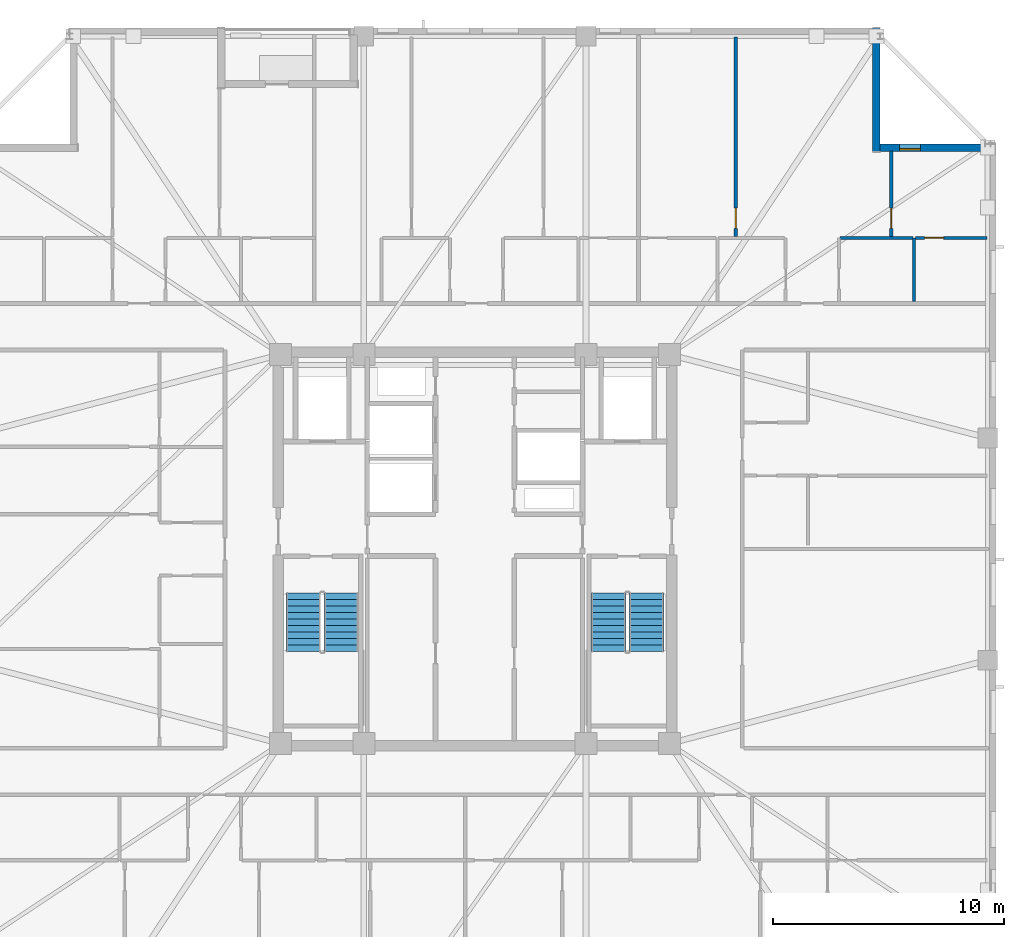
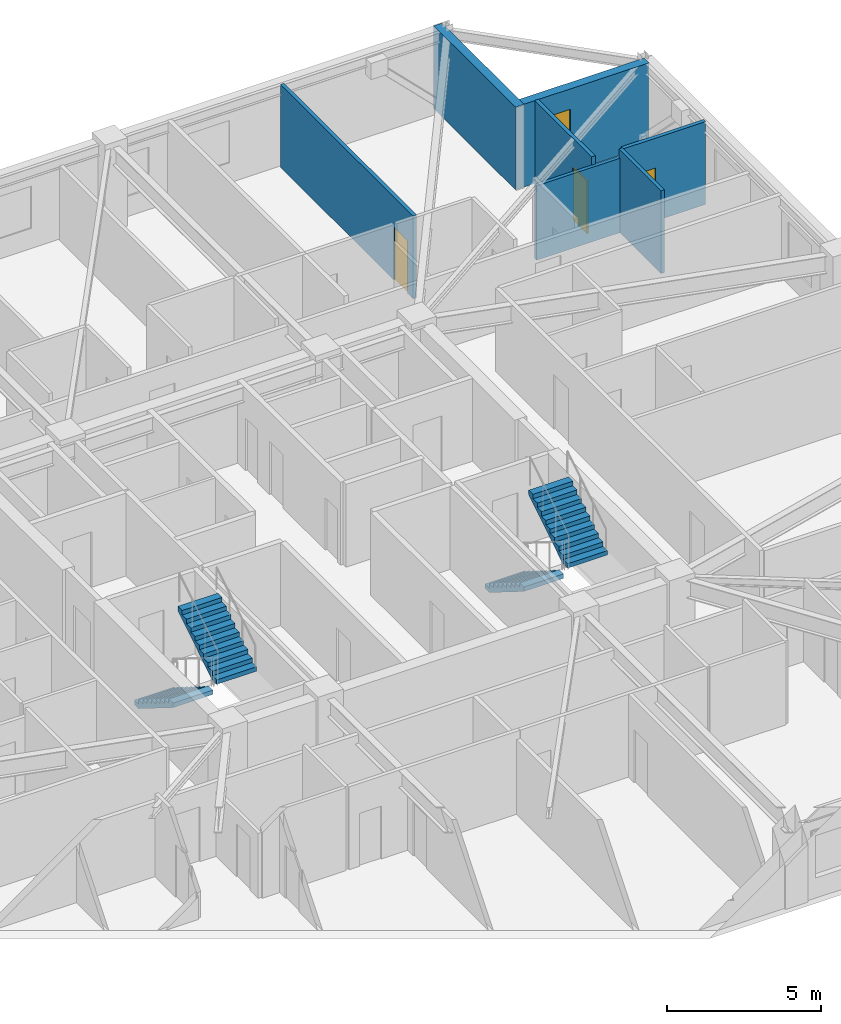
# One storey, part 12 of 17: 7 walls, 4 stair flights, 3 doors, 1 window, 4 openings, 2 elements without a shape of their own.
"""IFC4 building model written with IfcOpenShell, lengths in metres."""

from ifc_helpers import new_model, si_unit, direction, frame, frame_2d, origin, place, context, subcontext, project, spatial, polyline, rectangle, outline, extrude, material, layer, layer_set, type_object, element, fill, aggregate, save


model = new_model("IFC4")

# Units and contexts
model_context = context("Model", 3, precision=1e-05, world=origin(), true_north=direction((0.0, 1.0)))
body_context = subcontext(model_context, "Body", "Model", "MODEL_VIEW")
ifc_project = project(units=[si_unit("LENGTHUNIT", "METRE"), si_unit("AREAUNIT", "SQUARE_METRE"), si_unit("VOLUMEUNIT", "CUBIC_METRE"), si_unit("PLANEANGLEUNIT", "RADIAN"), si_unit("MASSUNIT", "GRAM", prefix="KILO")], contexts=[model_context])

# Site, building, storey
site_placement = place(None, origin())
site = spatial("IfcSite", under=ifc_project, at=site_placement, CompositionType="ELEMENT")
building_placement = place(site_placement, origin())
building = spatial("IfcBuilding", under=site, at=building_placement, Name="Cairnveth Concourse Tower", CompositionType="ELEMENT")
storey_placement = place(building_placement, frame((0.0, 0.0, 223.5)))
storey = spatial("IfcBuildingStorey", under=building, at=storey_placement, Name="L61", CompositionType="ELEMENT", Elevation=223.5)

# Wall, opening, door
ifc_material_1 = material(Name="Gypsum Plasterboard Partition", Category="gypsum")
ifc_layer_1 = layer(ifc_material_1, 0.139892578125)
ifc_layer_set_1 = layer_set([ifc_layer_1], Name="Gypsum Plasterboard Partition")
wall_type_1 = type_object("IfcWallType", Name="GYPSUM STUD PARTITION 140", PredefinedType="PARTITIONING", material=ifc_layer_set_1)
wall_1_placement = place(storey_placement, frame((63.267578125, 52.492431640625, 0.0), z_axis=(0.0, 0.0, 1.0), x_axis=(0.0, 1.0, 0.0)))
wall_1 = element("IfcWall", 1, at=wall_1_placement, inside=storey, type_object=wall_type_1, Name="Interior Wall IW-L61-092", PredefinedType="PARTITIONING", context=body_context, shape_type="SweptSolid", body=[
    extrude(rectangle(XDim=8.627685546875, YDim=0.139892578125, at=frame_2d((4.31396484375, 0.0))), origin(), (0.0, 0.0, 1.0), 3.2900390625),
])
opening_1_placement = place(wall_1_placement, frame((0.360107421875, 0.0, 0.0)))
opening_1 = element("IfcOpeningElement", 2, at=opening_1_placement, cuts=wall_1, Name="Opening ID18", PredefinedType="OPENING", context=body_context, shape_type="SweptSolid", body=[
    extrude(rectangle(XDim=0.8798828125, YDim=2.10009765625, at=frame_2d((0.43994140625, 1.050048828125))), frame((0.0, 0.079833984375, 0.0), z_axis=(0.0, -1.0, 0.0), x_axis=(1.0, 0.0, 0.0)), (0.0, 0.0, 1.0), 0.159912109375),
])
ifc_material_2 = material(Name="Solid Core Hardwood Timber Leaf", Category="wood")
door_type_1 = type_object("IfcDoorType", Name="INTERIOR SINGLE DOOR 880X2100", OperationType="NOTDEFINED", PredefinedType="DOOR", material=ifc_material_2)
door_1_placement = place(opening_1_placement, origin())
door_1 = element("IfcDoor", 3, at=door_1_placement, inside=storey, type_object=door_type_1, Name="L61N3 Master Bedroom Door", OperationType="SINGLE_SWING_LEFT", OverallHeight=2.10009765625, OverallWidth=0.8798828125, PredefinedType="DOOR", context=body_context, shape_type="SweptSolid", body=[
    extrude(rectangle(XDim=0.8798828125, YDim=2.10009765625, at=frame_2d((0.43994140625, 1.050048828125))), frame((0.0, 0.02490234375, 0.0), z_axis=(0.0, -1.0, 0.0), x_axis=(1.0, 0.0, 0.0)), (0.0, 0.0, 1.0), 0.050048828125),
])
fill(opening_1, door_1)

wall_2_placement = place(storey_placement, frame((69.97998046875, 52.492431640625, 0.0), z_axis=(0.0, 0.0, 1.0), x_axis=(0.0, 1.0, 0.0)))
wall_2 = element("IfcWall", 4, at=wall_2_placement, inside=storey, type_object=wall_type_1, Name="Interior Wall IW-L61-094", PredefinedType="PARTITIONING", context=body_context, shape_type="SweptSolid", body=[
    extrude(rectangle(XDim=3.70263671875, YDim=0.139892578125, at=frame_2d((1.851318359375, 0.0))), origin(), (0.0, 0.0, 1.0), 3.2900390625),
])
opening_2_placement = place(wall_2_placement, frame((0.360107421875, 0.0, 0.0)))
opening_2 = element("IfcOpeningElement", 5, at=opening_2_placement, cuts=wall_2, Name="Opening ID18", PredefinedType="OPENING", context=body_context, shape_type="SweptSolid", body=[
    extrude(rectangle(XDim=0.8798828125, YDim=2.10009765625, at=frame_2d((0.43994140625, 1.050048828125))), frame((0.0, 0.079833984375, 0.0), z_axis=(0.0, -1.0, 0.0), x_axis=(1.0, 0.0, 0.0)), (0.0, 0.0, 1.0), 0.159912109375),
])
door_2_placement = place(opening_2_placement, origin())
door_2 = element("IfcDoor", 6, at=door_2_placement, inside=storey, type_object=door_type_1, Name="L61N3 Bedroom 2 Door", OperationType="SINGLE_SWING_LEFT", OverallHeight=2.10009765625, OverallWidth=0.8798828125, PredefinedType="DOOR", context=body_context, shape_type="SweptSolid", body=[
    extrude(rectangle(XDim=0.8798828125, YDim=2.10009765625, at=frame_2d((0.43994140625, 1.050048828125))), frame((0.0, 0.02490234375, 0.0), z_axis=(0.0, -1.0, 0.0), x_axis=(1.0, 0.0, 0.0)), (0.0, 0.0, 1.0), 0.050048828125),
])
fill(opening_2, door_2)

wall_3_placement = place(storey_placement, frame((71.023681640625, 52.4423828125, 0.0), z_axis=(0.0, 0.0, 1.0), x_axis=(1.0, 0.0, 0.0)))
wall_3 = element("IfcWall", 7, at=wall_3_placement, inside=storey, type_object=wall_type_1, Name="Interior Wall IW-L61-095", PredefinedType="PARTITIONING", context=body_context, shape_type="SweptSolid", body=[
    extrude(rectangle(XDim=3.106201171875, YDim=0.139892578125, at=frame_2d((1.55322265625, 0.0))), origin(), (0.0, 0.0, 1.0), 3.2900390625),
])
opening_3_placement = place(wall_3_placement, frame((0.39990234375, 0.0, 0.0)))
opening_3 = element("IfcOpeningElement", 8, at=opening_3_placement, cuts=wall_3, Name="Opening ID22", PredefinedType="OPENING", context=body_context, shape_type="SweptSolid", body=[
    extrude(rectangle(XDim=0.820068359375, YDim=2.10009765625, at=frame_2d((0.41015625, 1.050048828125))), frame((0.0, 0.079833984375, 0.0), z_axis=(0.0, -1.0, 0.0), x_axis=(1.0, 0.0, 0.0)), (0.0, 0.0, 1.0), 0.159912109375),
])
door_type_2 = type_object("IfcDoorType", Name="INTERIOR WC DOOR 820X2100", OperationType="NOTDEFINED", PredefinedType="DOOR", material=ifc_material_2)
door_3_placement = place(opening_3_placement, origin())
door_3 = element("IfcDoor", 9, at=door_3_placement, inside=storey, type_object=door_type_2, Name="L61N3 Utility Door", OperationType="SINGLE_SWING_RIGHT", OverallHeight=2.10009765625, OverallWidth=0.820068359375, PredefinedType="DOOR", context=body_context, shape_type="SweptSolid", body=[
    extrude(rectangle(XDim=0.820068359375, YDim=2.10009765625, at=frame_2d((0.41015625, 1.050048828125))), frame((0.0, 0.02490234375, 0.0), z_axis=(0.0, -1.0, 0.0), x_axis=(1.0, 0.0, 0.0)), (0.0, 0.0, 1.0), 0.050048828125),
])
fill(opening_3, door_3)

# Walls
ifc_layer_2 = layer(ifc_material_1, 0.1298828125)
ifc_layer_set_2 = layer_set([ifc_layer_2], Name="Gypsum Plasterboard Partition")
wall_type_2 = type_object("IfcWallType", Name="WET AREA PARTITION 140", PredefinedType="PLUMBINGWALL", material=ifc_layer_set_2)
wall_4_placement = place(storey_placement, frame((70.973876953125, 49.6923828125, 0.0), z_axis=(0.0, 0.0, 1.0), x_axis=(0.0, 1.0, 0.0)))
element("IfcWall", 10, at=wall_4_placement, inside=storey, type_object=wall_type_2, Name="Interior Wall IW-L61-089", PredefinedType="PLUMBINGWALL", context=body_context, shape_type="SweptSolid", body=[
    extrude(rectangle(XDim=2.75, YDim=0.1298828125, at=frame_2d((1.375, 0.0))), origin(), (0.0, 0.0, 1.0), 3.2900390625),
])
wall_5_placement = place(storey_placement, frame((67.773681640625, 52.4423828125, 0.0), z_axis=(0.0, 0.0, 1.0), x_axis=(1.0, 0.0, 0.0)))
element("IfcWall", 11, at=wall_5_placement, inside=storey, type_object=wall_type_2, Name="Interior Wall IW-L61-091", PredefinedType="PLUMBINGWALL", context=body_context, shape_type="SweptSolid", body=[
    extrude(rectangle(XDim=3.150146484375, YDim=0.1298828125, at=frame_2d((1.5751953125, 0.0))), origin(), (0.0, 0.0, 1.0), 2.9580078125),
])
ifc_material_3 = material(Name="Melbourne Buff Fired Clay Brick Masonry", Category="masonry")
ifc_layer_3 = layer(ifc_material_3, 0.320068359375)
ifc_layer_set_3 = layer_set([ifc_layer_3], Name="Melbourne Buff Fired Clay Brick Masonry")
wall_type_3 = type_object("IfcWallType", Name="ZONE 3 BRICK PIER SPANDREL WALL 320", PredefinedType="SOLIDWALL", material=ifc_layer_set_3)
wall_6_placement = place(storey_placement, frame((69.340087890625, 61.5, 0.0), z_axis=(0.0, 0.0, 1.0), x_axis=(0.0, -1.0, 0.0)))
element("IfcWall", 12, at=wall_6_placement, inside=storey, type_object=wall_type_3, Name="Exterior Wall EW-L61-S01", PredefinedType="SOLIDWALL", context=body_context, shape_type="SweptSolid", body=[
    extrude(rectangle(XDim=5.320068359375, YDim=0.320068359375, at=frame_2d((2.66015625, 0.0))), origin(), (0.0, 0.0, 1.0), 3.2900390625),
])

# Wall, opening, window
wall_7_placement = place(storey_placement, frame((69.47802734375, 56.340087890625, 0.0), z_axis=(0.0, 0.0, 1.0), x_axis=(1.0, 0.0, 0.0)))
wall_7 = element("IfcWall", 13, at=wall_7_placement, inside=storey, type_object=wall_type_3, Name="Exterior Wall EW-L61-S02", PredefinedType="SOLIDWALL", context=body_context, shape_type="SweptSolid", body=[
    extrude(rectangle(XDim=4.723876953125, YDim=0.320068359375, at=frame_2d((2.36181640625, 0.0))), origin(), (0.0, 0.0, 1.0), 3.2900390625),
])
opening_4_placement = place(wall_7_placement, frame((0.8701171875, 0.0, 0.800048828125)))
opening_4 = element("IfcOpeningElement", 14, at=opening_4_placement, cuts=wall_7, Name="Opening W13", PredefinedType="OPENING", context=body_context, shape_type="SweptSolid", body=[
    extrude(rectangle(XDim=0.89990234375, YDim=1.677978515625, at=frame_2d((0.449951171875, 0.8388671875))), frame((0.0, 0.169921875, 0.0), z_axis=(0.0, -1.0, 0.0), x_axis=(1.0, 0.0, 0.0)), (0.0, 0.0, 1.0), 0.340087890625),
])
ifc_material_4 = material(Name="Double Glazed Low-E Clear Glass", Category="glass")
window_type = type_object("IfcWindowType", Name="DEEP-SET BEDROOM LANCET WINDOW 900X1750", PartitioningType="DOUBLE_PANEL_VERTICAL", PredefinedType="WINDOW", material=ifc_material_4)
window_placement = place(opening_4_placement, origin())
window = element("IfcWindow", 15, at=window_placement, inside=storey, type_object=window_type, Name="Dwelling Lancet Window L61-DW6", OverallHeight=1.677978515625, OverallWidth=0.89990234375, PartitioningType="SINGLE_PANEL", PredefinedType="WINDOW", context=body_context, shape_type="SweptSolid", body=[
    extrude(rectangle(XDim=0.89990234375, YDim=1.677978515625, at=frame_2d((0.449951171875, 0.8388671875))), frame((0.0, -0.0400390625, 0.0), z_axis=(0.0, -1.0, 0.0), x_axis=(1.0, 0.0, 0.0)), (0.0, 0.0, 1.0), 0.06005859375),
])
fill(opening_4, window)

# Stair, stair flights
ifc_material_5 = material(Name="Precast concrete N50 (50 MPa)", Category="concrete")
stair_type = type_object("IfcStairType", Name="CORE DOG-LEG FIRE STAIR 1500", PredefinedType="HALF_TURN_STAIR", material=ifc_material_5)
stair_1_placement = place(storey_placement, origin())
stair_1 = element("IfcStair", 16, at=stair_1_placement, inside=storey, type_object=stair_type, Name="L61 Fire-Isolated Stair ST-1", PredefinedType="HALF_TURN_STAIR")
stair_flight_type = type_object("IfcStairFlightType", Name="PRECAST CONCRETE STAIR FLIGHT 1500", PredefinedType="STRAIGHT", material=ifc_material_5)
stair_flight_1_placement = place(storey_placement, frame((44.590087890625, 37.10009765625, 0.0), z_axis=(0.0, 0.0, 1.0), x_axis=(0.0, -1.0, 0.0)))
stair_flight_1 = element("IfcStairFlight", 17, at=stair_flight_1_placement, type_object=stair_flight_type, Name="ST-1 flight 1", NumberOfRisers=10, NumberOfTreads=9, PredefinedType="STRAIGHT", RiserHeight=0.175, TreadLength=0.28, context=body_context, shape_type="SweptSolid", body=[
    extrude(outline(polyline([(0.0, 0.0), (0.0, 0.175048828125), (0.280029296875, 0.175048828125), (0.280029296875, 0.35009765625), (0.56005859375, 0.35009765625), (0.56005859375, 0.52490234375), (0.840087890625, 0.52490234375), (0.840087890625, 0.699951171875), (1.1201171875, 0.699951171875), (1.1201171875, 0.875), (1.39990234375, 0.875), (1.39990234375, 1.050048828125), (1.679931640625, 1.050048828125), (1.679931640625, 1.22509765625), (1.9599609375, 1.22509765625), (1.9599609375, 1.39990234375), (2.239990234375, 1.39990234375), (2.239990234375, 1.574951171875), (2.52001953125, 1.574951171875), (2.52001953125, 1.75), (2.52001953125, 1.398193359375), (0.28271484375, 0.0), (0.0, 0.0)])), frame((0.0, 0.75, 0.0), z_axis=(0.0, -1.0, 0.0), x_axis=(1.0, 0.0, 0.0)), (0.0, 0.0, 1.0), 1.5),
])
stair_flight_2_placement = place(storey_placement, frame((46.22998046875, 34.580078125, 1.75), z_axis=(0.0, 0.0, 1.0), x_axis=(0.0, 1.0, 0.0)))
stair_flight_2 = element("IfcStairFlight", 18, at=stair_flight_2_placement, type_object=stair_flight_type, Name="ST-1 flight 2", NumberOfRisers=10, NumberOfTreads=9, PredefinedType="STRAIGHT", RiserHeight=0.175, TreadLength=0.28, context=body_context, shape_type="SweptSolid", body=[
    extrude(outline(polyline([(0.0, 0.0), (0.0, 0.175048828125), (0.280029296875, 0.175048828125), (0.280029296875, 0.35009765625), (0.56005859375, 0.35009765625), (0.56005859375, 0.52490234375), (0.840087890625, 0.52490234375), (0.840087890625, 0.699951171875), (1.1201171875, 0.699951171875), (1.1201171875, 0.875), (1.39990234375, 0.875), (1.39990234375, 1.050048828125), (1.679931640625, 1.050048828125), (1.679931640625, 1.22509765625), (1.9599609375, 1.22509765625), (1.9599609375, 1.39990234375), (2.239990234375, 1.39990234375), (2.239990234375, 1.574951171875), (2.52001953125, 1.574951171875), (2.52001953125, 1.75), (2.52001953125, 1.398193359375), (0.28271484375, 0.0), (0.0, 0.0)])), frame((0.0, 0.75, 0.0), z_axis=(0.0, -1.0, 0.0), x_axis=(1.0, 0.0, 0.0)), (0.0, 0.0, 1.0), 1.5),
])
aggregate(stair_1, [stair_flight_1, stair_flight_2])

stair_2_placement = place(storey_placement, origin())
stair_2 = element("IfcStair", 19, at=stair_2_placement, inside=storey, type_object=stair_type, Name="L61 Fire-Isolated Stair ST-2", PredefinedType="HALF_TURN_STAIR")
stair_flight_3_placement = place(storey_placement, frame((57.77001953125, 37.10009765625, 0.0), z_axis=(0.0, 0.0, 1.0), x_axis=(0.0, -1.0, 0.0)))
stair_flight_3 = element("IfcStairFlight", 20, at=stair_flight_3_placement, type_object=stair_flight_type, Name="ST-2 flight 1", NumberOfRisers=10, NumberOfTreads=9, PredefinedType="STRAIGHT", RiserHeight=0.175, TreadLength=0.28, context=body_context, shape_type="SweptSolid", body=[
    extrude(outline(polyline([(0.0, 0.0), (0.0, 0.175048828125), (0.280029296875, 0.175048828125), (0.280029296875, 0.35009765625), (0.56005859375, 0.35009765625), (0.56005859375, 0.52490234375), (0.840087890625, 0.52490234375), (0.840087890625, 0.699951171875), (1.1201171875, 0.699951171875), (1.1201171875, 0.875), (1.39990234375, 0.875), (1.39990234375, 1.050048828125), (1.679931640625, 1.050048828125), (1.679931640625, 1.22509765625), (1.9599609375, 1.22509765625), (1.9599609375, 1.39990234375), (2.239990234375, 1.39990234375), (2.239990234375, 1.574951171875), (2.52001953125, 1.574951171875), (2.52001953125, 1.75), (2.52001953125, 1.398193359375), (0.28271484375, 0.0), (0.0, 0.0)])), frame((0.0, 0.75, 0.0), z_axis=(0.0, -1.0, 0.0), x_axis=(1.0, 0.0, 0.0)), (0.0, 0.0, 1.0), 1.5),
])
stair_flight_4_placement = place(storey_placement, frame((59.409912109375, 34.580078125, 1.75), z_axis=(0.0, 0.0, 1.0), x_axis=(0.0, 1.0, 0.0)))
stair_flight_4 = element("IfcStairFlight", 21, at=stair_flight_4_placement, type_object=stair_flight_type, Name="ST-2 flight 2", NumberOfRisers=10, NumberOfTreads=9, PredefinedType="STRAIGHT", RiserHeight=0.175, TreadLength=0.28, context=body_context, shape_type="SweptSolid", body=[
    extrude(outline(polyline([(0.0, 0.0), (0.0, 0.175048828125), (0.280029296875, 0.175048828125), (0.280029296875, 0.35009765625), (0.56005859375, 0.35009765625), (0.56005859375, 0.52490234375), (0.840087890625, 0.52490234375), (0.840087890625, 0.699951171875), (1.1201171875, 0.699951171875), (1.1201171875, 0.875), (1.39990234375, 0.875), (1.39990234375, 1.050048828125), (1.679931640625, 1.050048828125), (1.679931640625, 1.22509765625), (1.9599609375, 1.22509765625), (1.9599609375, 1.39990234375), (2.239990234375, 1.39990234375), (2.239990234375, 1.574951171875), (2.52001953125, 1.574951171875), (2.52001953125, 1.75), (2.52001953125, 1.398193359375), (0.28271484375, 0.0), (0.0, 0.0)])), frame((0.0, 0.75, 0.0), z_axis=(0.0, -1.0, 0.0), x_axis=(1.0, 0.0, 0.0)), (0.0, 0.0, 1.0), 1.5),
])
aggregate(stair_2, [stair_flight_3, stair_flight_4])

save(model, "model.ifc")
